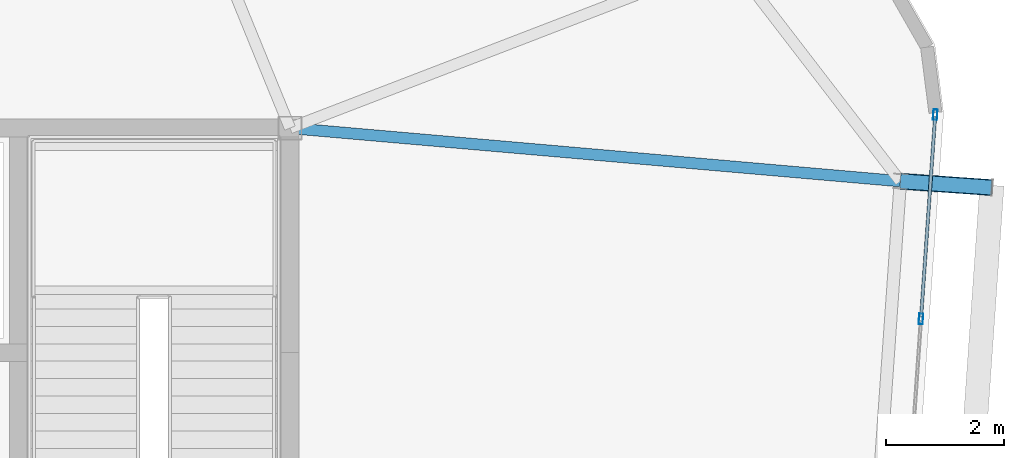
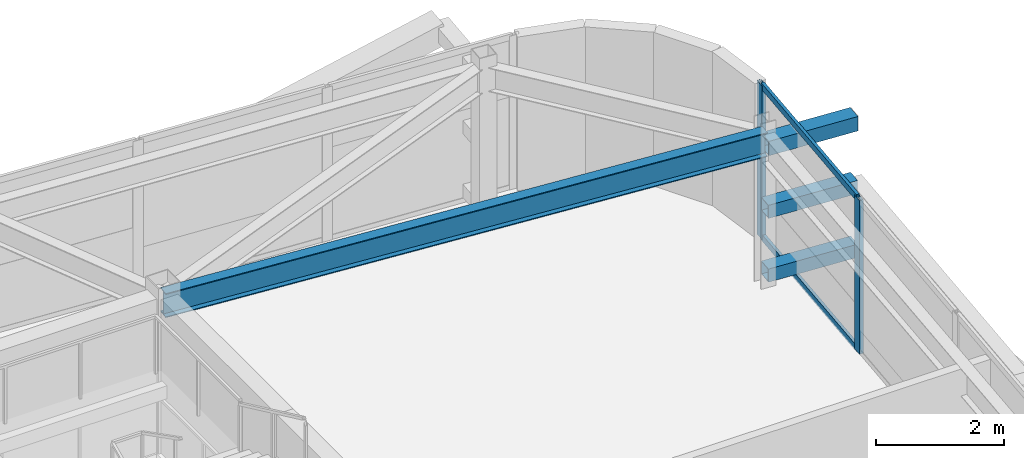
# One storey, part 25 of 47: 7 members, 1 beam, 1 element without a shape of its own.
"""IFC4 building model written with IfcOpenShell, lengths in metres."""

from ifc_helpers import new_model, si_unit, direction, frame, origin, origin_2d, place, context, subcontext, project, spatial, hollow_rectangle, i_section, extrude, source, transform, mapped, material, layer, layer_set, material_profile, profile_set, type_object, element, aggregate, save


model = new_model("IFC4")

# Units and contexts
model_context = context("Model", 3, precision=1e-05, world=origin(), true_north=direction((0.0, 1.0)))
body_context = subcontext(model_context, "Body", "Model", "MODEL_VIEW")
ifc_project = project(units=[si_unit("LENGTHUNIT", "METRE"), si_unit("AREAUNIT", "SQUARE_METRE"), si_unit("VOLUMEUNIT", "CUBIC_METRE"), si_unit("PLANEANGLEUNIT", "RADIAN"), si_unit("MASSUNIT", "GRAM", prefix="KILO")], contexts=[model_context])

# Site, building, storey
site_placement = place(None, origin())
site = spatial("IfcSite", under=ifc_project, at=site_placement, CompositionType="ELEMENT")
building_placement = place(site_placement, origin())
building = spatial("IfcBuilding", under=site, at=building_placement, Name="Taldren Reach Tower", CompositionType="ELEMENT")
storey_placement = place(building_placement, frame((0.0, 0.0, 139.300048828125)))
storey = spatial("IfcBuildingStorey", under=building, at=storey_placement, Name="L42", CompositionType="ELEMENT", Elevation=139.300048828125)

# Members
ifc_material_1 = material(Name="Steel Gr 450 (C450L0)", Category="steel")
ifc_material_profile_1 = material_profile(ifc_material_1, hollow_rectangle(XDim=0.27490234375, YDim=0.27490234375, WallThickness=0.00927734375, at=origin_2d()), Name="275x275x9.3SHS")
ifc_profile_set_1 = profile_set([ifc_material_profile_1], Name="Steel Gr 450 (C450L0)")
member_type_1 = type_object("IfcMemberType", Name="MB-TIE273", PredefinedType="STRUT", material=ifc_profile_set_1)
shared_shape_1 = source(origin(), body_context, "Body", "SweptSolid", [
    extrude(hollow_rectangle(XDim=0.27490234375, YDim=0.27490234375, WallThickness=0.00927734375, at=origin_2d()), origin(), (0.0, 0.0, 1.0), 1.550048828125),
])
member_1_placement = place(storey_placement, frame((61.3310546875, 31.1005859375, 2.64990234375), z_axis=(0.99756313426, -0.06976957191, 0.0), x_axis=(0.06976957191, 0.99756313426, 0.0)))
element("IfcMember", 1, at=member_1_placement, inside=storey, type_object=member_type_1, Name="Exoskeleton diaphragm tie strut B3-E3 L42", PredefinedType="STRUT", context=body_context, shape_type="MappedRepresentation", body=[
    mapped(shared_shape_1, transform((0.0, 0.0, 0.0), scale=1.0)),
])
ifc_material_2 = material(Name="Steel Gr 350 (C350L0)", Category="steel")
ifc_material_profile_2 = material_profile(ifc_material_2, hollow_rectangle(XDim=0.25, YDim=0.25, WallThickness=0.010009765625, at=origin_2d()), Name="250x250x10.0SHS")
ifc_profile_set_2 = profile_set([ifc_material_profile_2], Name="Steel Gr 350 (C350L0)")
member_type_2 = type_object("IfcMemberType", Name="MB-POST250", PredefinedType="POST", material=ifc_profile_set_2)
shared_shape_2 = source(origin(), body_context, "Body", "SweptSolid", [
    extrude(hollow_rectangle(XDim=0.25, YDim=0.25, WallThickness=0.010009765625, at=origin_2d()), origin(), (0.0, 0.0, 1.0), 1.550048828125),
])
for number, where, z_axis, x_axis, name in (
    (2, (61.3310546875, 31.1005859375, 0.219970703125), (0.99756313426, -0.06976957191, 0.0), (0.06976957191, 0.99756313426, 0.0), "Exoskeleton base diaphragm tie strut B3-E3 L42"),
    (3, (61.3310546875, 31.1005859375, 1.43505859375), (0.99756313426, -0.06976957191, 0.0), (0.06976957191, 0.99756313426, 0.0), "Exoskeleton mid-tier diaphragm tie B3-E3 L42"),
):
    element("IfcMember", number, at=place(storey_placement, frame(where, z_axis=z_axis, x_axis=x_axis)), inside=storey, type_object=member_type_2, Name=name, PredefinedType="POST", context=body_context, shape_type="MappedRepresentation", body=[
        mapped(shared_shape_2, transform((0.0, 0.0, 0.0), scale=1.0)),
    ])

# Beam
ifc_material_3 = material(Name="Steel Gr 350 (350PLUS)", Category="steel")
ifc_material_profile_3 = material_profile(ifc_material_3, i_section(OverallWidth=0.19091796875, OverallDepth=0.4599609375, WebThickness=0.010009765625, FlangeThickness=0.01611328125, at=origin_2d()), Name="460UB82.1")
ifc_profile_set_3 = profile_set([ifc_material_profile_3], Name="Steel Gr 350 (350PLUS)")
beam_type = type_object("IfcBeamType", Name="BM-UB460A", PredefinedType="BEAM", material=ifc_profile_set_3)
shared_shape_3 = source(origin(), body_context, "Body", "SweptSolid", [
    extrude(i_section(OverallWidth=0.19091796875, OverallDepth=0.4599609375, WebThickness=0.010009765625, FlangeThickness=0.01611328125, at=origin_2d()), origin(), (0.0, 0.0, 1.0), 10.3701171875),
])
beam_placement = place(storey_placement, frame((51.0, 32.0, 2.699951171875), z_axis=(0.996231748992, -0.086731207186, 0.0), x_axis=(0.086731207186, 0.996231748992, 0.0)))
element("IfcBeam", 4, at=beam_placement, inside=storey, type_object=beam_type, Name="Primary floor girder B3-E3 L42", PredefinedType="BEAM", context=body_context, shape_type="MappedRepresentation", body=[
    mapped(shared_shape_3, transform((0.0, 0.0, 0.0), scale=1.0)),
])

# Curtain wall, members
ifc_material_4 = material(Name="Aluminium and Low-E Glass Unitised System", Category="aluminium")
ifc_layer = layer(ifc_material_4, 0.159912109375)
ifc_layer_set = layer_set([ifc_layer], Name="Aluminium and Low-E Glass Unitised System")
curtain_wall_type = type_object("IfcCurtainWallType", Name="CW-SYS-4", PredefinedType="NOTDEFINED", material=ifc_layer_set)
curtain_wall_placement = place(storey_placement, origin())
curtain_wall = element("IfcCurtainWall", 5, at=curtain_wall_placement, inside=storey, type_object=curtain_wall_type, Name="Unitised curtain wall CW-L42-E", PredefinedType="NOTDEFINED")
ifc_material_5 = material(Name="Anodised Aluminium 6063-T6", Category="aluminium")
ifc_material_profile_4 = material_profile(ifc_material_5, hollow_rectangle(XDim=0.070068359375, YDim=0.179931640625, WallThickness=0.00390625, at=origin_2d()), Name="ALU-180x70x4RHS")
ifc_profile_set_4 = profile_set([ifc_material_profile_4], Name="Anodised Aluminium 6063-T6")
member_type_3 = type_object("IfcMemberType", Name="CW-MUL-180", PredefinedType="MULLION", material=ifc_profile_set_4)
shared_shape_4 = source(origin(), body_context, "Body", "SweptSolid", [
    extrude(hollow_rectangle(XDim=0.070068359375, YDim=0.179931640625, WallThickness=0.00390625, at=origin_2d()), origin(), (0.0, 0.0, 1.0), 2.929931640625),
])
member_2_placement = place(storey_placement, frame((61.679443359375, 28.7705078125, 0.0), z_axis=(0.0, 0.0, 1.0), x_axis=(-0.997564052812, 0.069756437251, 0.0)))
member_2 = element("IfcMember", 6, at=member_2_placement, type_object=member_type_3, Name="CW-4 mullion 8", PredefinedType="MULLION", context=body_context, shape_type="MappedRepresentation", body=[
    mapped(shared_shape_4, transform((0.0, 0.0, 0.0), scale=1.0)),
])
member_3_placement = place(storey_placement, frame((61.921142578125, 32.22705078125, 0.0), z_axis=(0.0, 0.0, 1.0), x_axis=(-0.997564052812, 0.069756437251, 0.0)))
member_3 = element("IfcMember", 7, at=member_3_placement, type_object=member_type_3, Name="CW-4 mullion 9", PredefinedType="MULLION", context=body_context, shape_type="MappedRepresentation", body=[
    mapped(shared_shape_4, transform((0.0, 0.0, 0.0), scale=1.0)),
])
ifc_material_profile_5 = material_profile(ifc_material_5, hollow_rectangle(XDim=0.054931640625, YDim=0.1201171875, WallThickness=0.0029296875, at=origin_2d()), Name="ALU-120x55x3RHS")
ifc_profile_set_5 = profile_set([ifc_material_profile_5], Name="Anodised Aluminium 6063-T6")
member_type_4 = type_object("IfcMemberType", Name="CW-TRN-135", PredefinedType="USERDEFINED", material=ifc_profile_set_5)
shared_shape_5 = source(origin(), body_context, "Body", "SweptSolid", [
    extrude(hollow_rectangle(XDim=0.054931640625, YDim=0.1201171875, WallThickness=0.0029296875, at=origin_2d()), origin(), (0.0, 0.0, 1.0), 3.39501953125),
])
member_4_placement = place(storey_placement, frame((61.681884765625, 28.805419921875, 0.02734375), z_axis=(0.069754703634, 0.997564174036, 0.0), x_axis=(-0.997564174036, 0.069754703634, 0.0)))
member_4 = element("IfcMember", 8, at=member_4_placement, type_object=member_type_4, Name="CW-4 transom 8.1", ObjectType="TRANSOM", PredefinedType="USERDEFINED", context=body_context, shape_type="MappedRepresentation", body=[
    mapped(shared_shape_5, transform((0.0, 0.0, 0.0), scale=1.0)),
])
member_5_placement = place(storey_placement, frame((61.681884765625, 28.805419921875, 2.90234375), z_axis=(0.069754703634, 0.997564174036, 0.0), x_axis=(-0.997564174036, 0.069754703634, 0.0)))
member_5 = element("IfcMember", 9, at=member_5_placement, type_object=member_type_4, Name="CW-4 transom 8.2", ObjectType="TRANSOM", PredefinedType="USERDEFINED", context=body_context, shape_type="MappedRepresentation", body=[
    mapped(shared_shape_5, transform((0.0, 0.0, 0.0), scale=1.0)),
])
aggregate(curtain_wall, [member_2, member_3, member_4, member_5])

save(model, "model.ifc")
